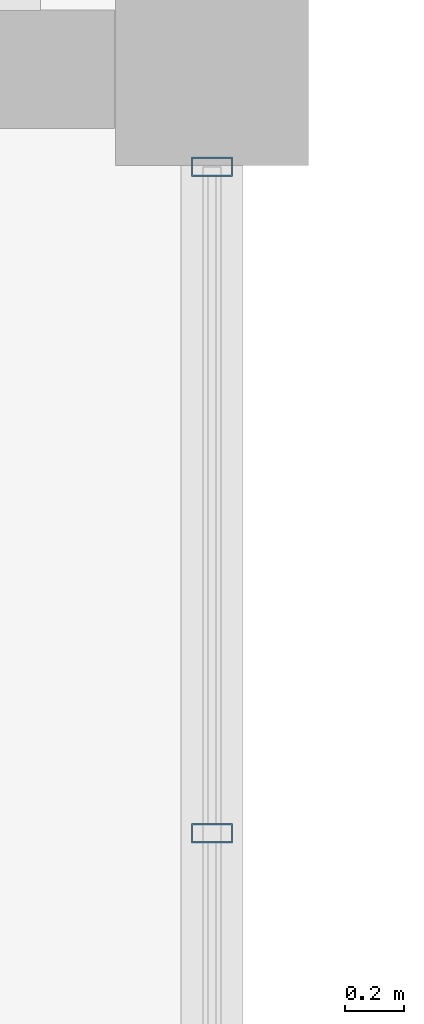
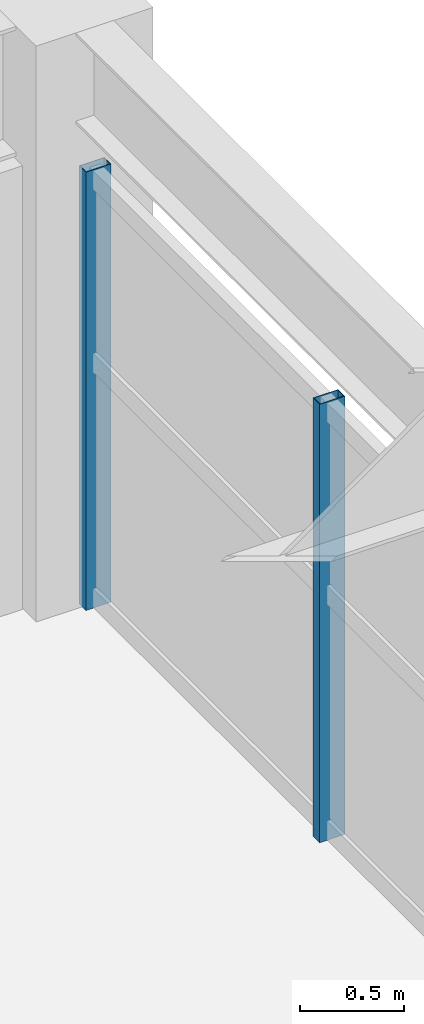
# One storey, part 60 of 93: 2 members, 1 element without a shape of its own.
"""IFC4 building model written with IfcOpenShell, lengths in metres."""

from ifc_helpers import new_model, si_unit, direction, frame, origin, origin_2d, place, context, subcontext, project, spatial, hollow_rectangle, extrude, material, material_profile, profile_set, type_object, element, aggregate, save


model = new_model("IFC4")

# Units and contexts
model_context = context("Model", 3, precision=1e-05, world=origin(), true_north=direction((0.0, 1.0)))
body_context = subcontext(model_context, "Body", "Model", "MODEL_VIEW")
ifc_project = project(units=[si_unit("LENGTHUNIT", "METRE"), si_unit("AREAUNIT", "SQUARE_METRE"), si_unit("VOLUMEUNIT", "CUBIC_METRE"), si_unit("PLANEANGLEUNIT", "RADIAN"), si_unit("MASSUNIT", "GRAM", prefix="KILO")], contexts=[model_context])

# Site, building, storey
site_placement = place(None, origin())
site = spatial("IfcSite", under=ifc_project, at=site_placement, CompositionType="ELEMENT")
building_placement = place(site_placement, origin())
building = spatial("IfcBuilding", under=site, at=building_placement, Name="Cimatlan Art Gallery", CompositionType="ELEMENT")
storey_placement = place(building_placement, frame((0.0, 0.0, 13.800048828125)))
storey = spatial("IfcBuildingStorey", under=building, at=storey_placement, Name="L03", CompositionType="ELEMENT", Elevation=13.800048828125)

# Curtain wall, members
ifc_material_1 = material(Name="Anodised bronze unitised curtain wall")
curtain_wall_type = type_object("IfcCurtainWallType", Name="CW-V-06742X02573-B3", PredefinedType="NOTDEFINED", material=ifc_material_1)
curtain_wall_placement = place(storey_placement, origin())
curtain_wall = element("IfcCurtainWall", 1, at=curtain_wall_placement, inside=storey, type_object=curtain_wall_type, Name="CW-L03-11-11-E", PredefinedType="NOTDEFINED")
ifc_material_2 = material(Name="Anodised bronze aluminium 6063-T6", Category="aluminium")
ifc_material_profile = material_profile(ifc_material_2, hollow_rectangle(XDim=0.06494140625, YDim=0.139892578125, WallThickness=0.00390625, at=origin_2d()), Name="ALU65X140X4")
ifc_profile_set = profile_set([ifc_material_profile], Name="Anodised bronze aluminium 6063-T6")
member_type = type_object("IfcMemberType", Name="CW-MUL-140", PredefinedType="MULLION", material=ifc_profile_set)
member_1_placement = place(storey_placement, frame((99.199951171875, 90.1708984375, 0.0), z_axis=(0.0, 0.0, 1.0), x_axis=(0.0, 1.0, 0.0)))
member_1 = element("IfcMember", 2, at=member_1_placement, type_object=member_type, Name="CW-L03-11-11-E-M1", PredefinedType="MULLION", context=body_context, shape_type="SweptSolid", body=[
    extrude(hollow_rectangle(XDim=0.06494140625, YDim=0.139892578125, WallThickness=0.00390625, at=origin_2d()), origin(), (0.0, 0.0, 1.0), 2.572998046875),
])
member_2_placement = place(storey_placement, frame((99.199951171875, 87.923583984375, 0.0), z_axis=(0.0, 0.0, 1.0), x_axis=(0.0, 1.0, 0.0)))
member_2 = element("IfcMember", 3, at=member_2_placement, type_object=member_type, Name="CW-L03-11-11-E-M2", PredefinedType="MULLION", context=body_context, shape_type="SweptSolid", body=[
    extrude(hollow_rectangle(XDim=0.06494140625, YDim=0.139892578125, WallThickness=0.00390625, at=origin_2d()), origin(), (0.0, 0.0, 1.0), 2.572998046875),
])
aggregate(curtain_wall, [member_1, member_2])

save(model, "model.ifc")
